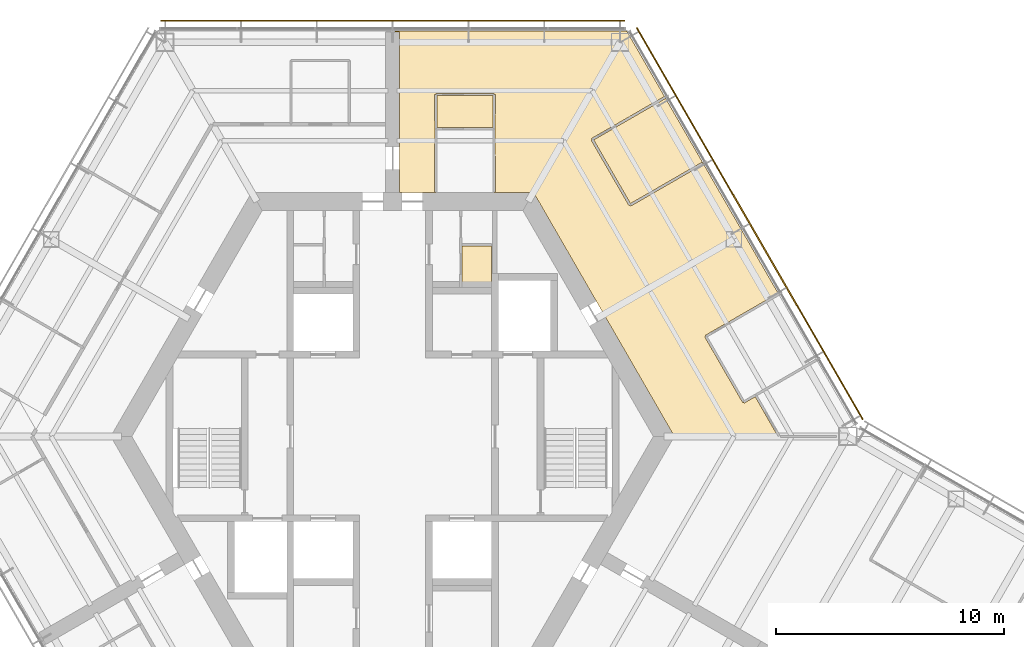
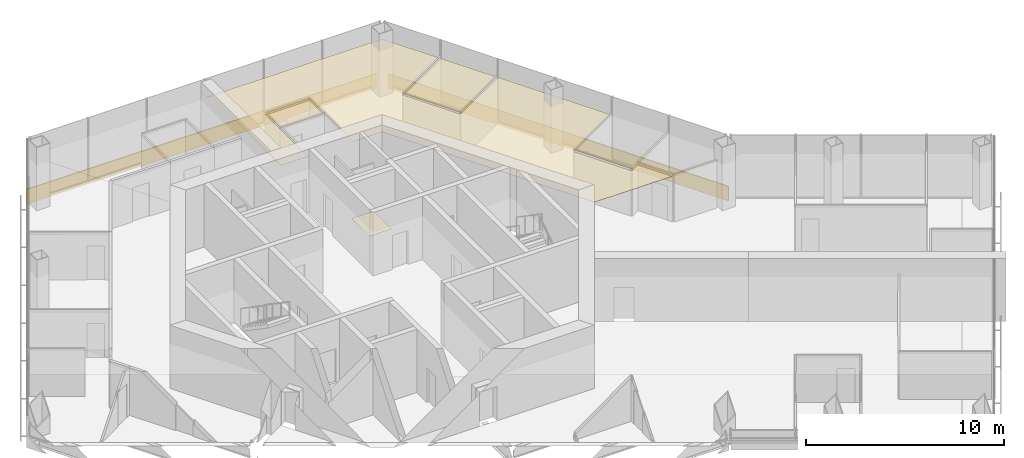
# One storey, part 16 of 16: 4 coverings, 2 shading devices.
"""IFC4 building model written with IfcOpenShell, lengths in metres."""

from ifc_helpers import new_model, si_unit, direction, frame, origin, origin_2d, place, context, subcontext, project, spatial, polyline, rectangle, outline, extrude, material, layer, layer_set, type_object, element, save


model = new_model("IFC4")

# Units and contexts
model_context = context("Model", 3, precision=1e-05, world=origin(), true_north=direction((0.0, 1.0)))
body_context = subcontext(model_context, "Body", "Model", "MODEL_VIEW")
ifc_project = project(units=[si_unit("LENGTHUNIT", "METRE"), si_unit("AREAUNIT", "SQUARE_METRE"), si_unit("VOLUMEUNIT", "CUBIC_METRE"), si_unit("PLANEANGLEUNIT", "RADIAN"), si_unit("MASSUNIT", "GRAM", prefix="KILO")], contexts=[model_context])

# Site, building, storey
site_placement = place(None, origin())
site = spatial("IfcSite", under=ifc_project, at=site_placement, CompositionType="ELEMENT")
building_placement = place(site_placement, origin())
building = spatial("IfcBuilding", under=site, at=building_placement, Name="Kasaneha Research Tower", CompositionType="ELEMENT")
storey_placement = place(building_placement, frame((0.0, 0.0, 251.800048828125)))
storey = spatial("IfcBuildingStorey", under=building, at=storey_placement, Name="L63", CompositionType="ELEMENT", Elevation=251.800048828125)

# Coverings
ifc_material_1 = material(Name="Gypsum ceiling board", Category="gypsum")
ifc_layer_1 = layer(ifc_material_1, 0.02001953125)
ifc_layer_set_1 = layer_set([ifc_layer_1], Name="Suspended ceiling 20")
covering_type_1 = type_object("IfcCoveringType", Name="Suspended ceiling 20", PredefinedType="CEILING", material=ifc_layer_set_1)
covering_1_placement = place(storey_placement, frame((0.0, 0.0, 2.800048828125)))
element("IfcCovering", 1, at=covering_1_placement, inside=storey, type_object=covering_type_1, Name="Ceiling L63-27", PredefinedType="CEILING", context=body_context, shape_type="SweptSolid", body=[
    extrude(outline(polyline([(1.9501953125, 14.97509765625), (4.414794921875, 14.97509765625), (4.41064453125, 13.570068359375), (1.954345703125, 13.570068359375), (1.9501953125, 14.97509765625)])), origin(), (0.0, 0.0, 1.0), 0.02001953125),
])
covering_2_placement = place(storey_placement, frame((0.0, 0.0, 2.800048828125)))
element("IfcCovering", 2, at=covering_2_placement, inside=storey, type_object=covering_type_1, Name="Ceiling L63-29", PredefinedType="CEILING", context=body_context, shape_type="SweptSolid", body=[
    extrude(outline(polyline([(13.640869140625, 12.0146484375), (13.623291015625, 12.004638671875), (13.598388671875, 12.0478515625), (10.454833984375, 10.23291015625), (8.83935546875, 13.031005859375), (12.000244140625, 14.85595703125), (13.640869140625, 12.0146484375)])), origin(), (0.0, 0.0, 1.0), 0.02001953125),
])
covering_3_placement = place(storey_placement, frame((0.0, 0.0, 2.800048828125)))
element("IfcCovering", 3, at=covering_3_placement, inside=storey, type_object=covering_type_1, Name="Ceiling L63-31", PredefinedType="CEILING", context=body_context, shape_type="SweptSolid", body=[
    extrude(outline(polyline([(4.465576171875, 10.72509765625), (4.465576171875, 10.7451171875), (4.514892578125, 10.7451171875), (4.510498046875, 13.52490234375), (4.514892578125, 15.02490234375), (4.46533203125, 15.02490234375), (4.46533203125, 15.025390625), (4.465087890625, 15.025390625), (4.465087890625, 15.074951171875), (1.89990234375, 15.074951171875), (1.89990234375, 15.025390625), (1.899658203125, 15.025390625), (1.899658203125, 15.02490234375), (1.85009765625, 15.02490234375), (1.8544921875, 13.52490234375), (1.85009765625, 10.7451171875), (1.8994140625, 10.7451171875), (1.8994140625, 10.72509765625), (0.300048828125, 10.72509765625), (0.300048828125, 11.72509765625), (0.300048828125, 12.72509765625), (0.300048828125, 17.7705078125), (0.300048828125, 17.7705078125), (0.0, 17.7705078125), (0.0, 17.820556640625), (10.28857421875, 17.820556640625), (11.9501953125, 14.9423828125), (8.74609375, 13.092529296875), (8.770751953125, 13.049560546875), (8.7705078125, 13.04931640625), (8.770751953125, 13.049072265625), (8.727783203125, 13.024169921875), (10.393310546875, 10.139404296875), (10.4365234375, 10.16455078125), (10.46142578125, 10.12109375), (13.6484375, 11.961181640625), (13.62353515625, 12.004150390625), (13.64111328125, 12.01416015625), (16.94677734375, 6.28857421875), (13.742431640625, 4.4384765625), (13.767333984375, 4.3955078125), (13.766845703125, 4.395263671875), (13.76708984375, 4.39501953125), (13.72412109375, 4.3701171875), (15.3896484375, 1.485595703125), (15.432373046875, 1.51025390625), (15.432373046875, 1.51025390625), (15.432861328125, 1.510498046875), (15.4580078125, 1.46728515625), (15.93798828125, 1.744384765625), (16.93994140625, 0.0), (12.38427734375, 0.0), (6.192138671875, 10.72509765625), (4.465576171875, 10.72509765625)])), origin(), (0.0, 0.0, 1.0), 0.02001953125),
])

# Shading devices
ifc_material_2 = material(Name="Terracotta", Category="masonry")
ifc_layer_2 = layer(ifc_material_2, 0.06005859375)
ifc_layer_set_2 = layer_set([ifc_layer_2], Name="Terracotta baguette screen")
shading_device_type = type_object("IfcShadingDeviceType", Name="Terracotta baguette screen", PredefinedType="USERDEFINED", material=ifc_layer_set_2)
shading_device_1_placement = place(storey_placement, frame((15.696044921875, 9.35498046875, -0.449951171875), z_axis=(0.0, 0.0, 1.0), x_axis=(-0.499999979232, 0.866025415775, 0.0)))
element("IfcShadingDevice", 4, at=shading_device_1_placement, inside=storey, type_object=shading_device_type, Name="Baguette screen L63 01", ObjectType="TERRACOTTA BAGUETTE SCREEN", PredefinedType="USERDEFINED", context=body_context, shape_type="SweptSolid", body=[
    extrude(rectangle(XDim=19.8857421875, YDim=0.06005859375, at=origin_2d()), origin(), (0.0, 0.0, 1.0), 0.89990234375),
])
shading_device_2_placement = place(storey_placement, frame((0.0, 18.2705078125, -0.449951171875), z_axis=(0.0, 0.0, 1.0), x_axis=(-1.0, 0.0, 0.0)))
element("IfcShadingDevice", 5, at=shading_device_2_placement, inside=storey, type_object=shading_device_type, Name="Baguette screen L63 02", ObjectType="TERRACOTTA BAGUETTE SCREEN", PredefinedType="USERDEFINED", context=body_context, shape_type="SweptSolid", body=[
    extrude(rectangle(XDim=20.392822265625, YDim=0.06005859375, at=origin_2d()), origin(), (0.0, 0.0, 1.0), 0.89990234375),
])

# Covering
ifc_material_3 = material(Name="Vinyl sheet flooring", Category="plastic")
ifc_layer_3 = layer(ifc_material_3, 0.0048828125)
ifc_layer_set_3 = layer_set([ifc_layer_3], Name="Wet room sheet flooring 5")
covering_type_2 = type_object("IfcCoveringType", Name="Wet room sheet flooring 5", PredefinedType="FLOORING", material=ifc_layer_set_3)
covering_4_placement = place(storey_placement, origin())
element("IfcCovering", 6, at=covering_4_placement, inside=storey, type_object=covering_type_2, Name="Floor finish L63-10", PredefinedType="FLOORING", context=body_context, shape_type="SweptSolid", body=[
    extrude(outline(polyline([(3.050048828125, 6.550048828125), (3.050048828125, 8.375), (4.35009765625, 8.375), (4.35009765625, 7.0), (4.35009765625, 6.550048828125), (3.050048828125, 6.550048828125)])), origin(), (0.0, 0.0, 1.0), 0.0048828125),
])

save(model, "model.ifc")
